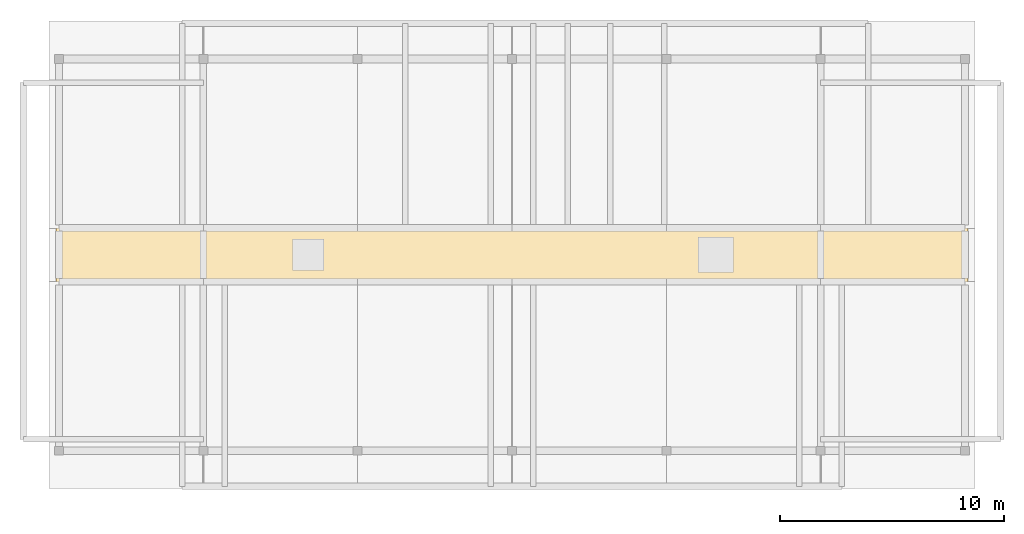
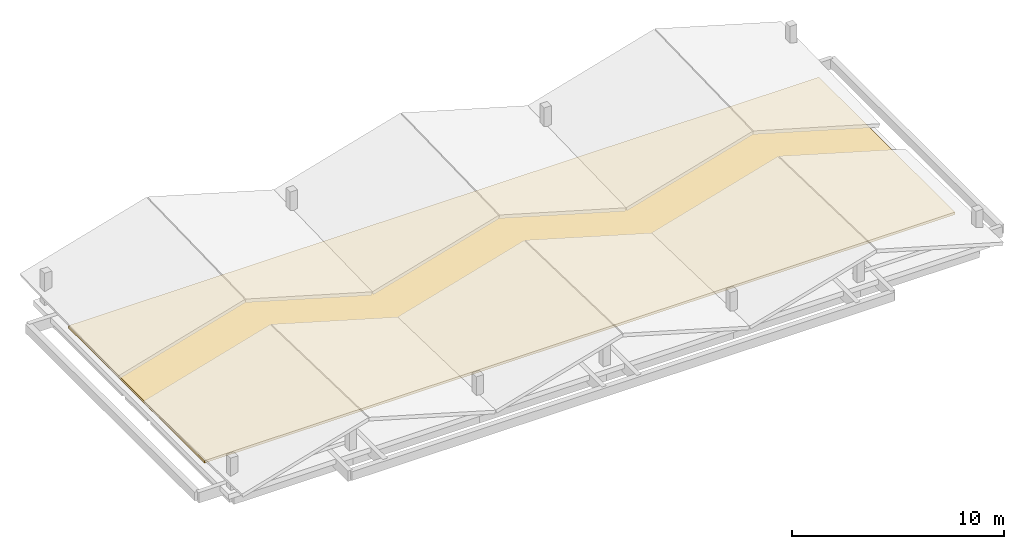
# One storey, part 3 of 3: 1 covering.
"""IFC4 building model written with IfcOpenShell, lengths in metres."""

from ifc_helpers import new_model, si_unit, direction, frame, origin, place, context, subcontext, project, spatial, polyline, outline, extrude, material, layer, layer_set, type_object, element, save


model = new_model("IFC4")

# Units and contexts
model_context = context("Model", 3, precision=1e-05, world=origin(), true_north=direction((0.0, 1.0)))
body_context = subcontext(model_context, "Body", "Model", "MODEL_VIEW")
ifc_project = project(units=[si_unit("LENGTHUNIT", "METRE"), si_unit("AREAUNIT", "SQUARE_METRE"), si_unit("VOLUMEUNIT", "CUBIC_METRE"), si_unit("PLANEANGLEUNIT", "RADIAN"), si_unit("MASSUNIT", "GRAM", prefix="KILO")], contexts=[model_context])

# Site, building, storey
site_placement = place(None, origin())
site = spatial("IfcSite", under=ifc_project, at=site_placement, CompositionType="ELEMENT")
building_placement = place(site_placement, origin())
building = spatial("IfcBuilding", under=site, at=building_placement, Name="Zavelmont Quarter", CompositionType="ELEMENT")
storey_placement = place(building_placement, frame((0.0, 0.0, 49.60009765625)))
storey = spatial("IfcBuildingStorey", under=building, at=storey_placement, Name="ROOF", CompositionType="ELEMENT", Elevation=49.60009765625)

# Covering
ifc_material = material(Name="EPDM waterproofing membrane and mineral insulation")
ifc_layer = layer(ifc_material, 0.139892578125)
ifc_layer_set = layer_set([ifc_layer], Name="EPDM waterproofing membrane and mineral insulation")
covering_type = type_object("IfcCoveringType", Name="CV-RF01", PredefinedType="ROOFING", material=ifc_layer_set)
covering_placement = place(storey_placement, origin())
element("IfcCovering", 1, at=covering_placement, inside=storey, type_object=covering_type, Name="ROOF roof build-up CV-RF01", PredefinedType="ROOFING", context=body_context, shape_type="SweptSolid", body=[
    extrude(outline(polyline([(0.300048828125, 2.800048828125), (41.10009765625, 2.800048828125), (41.10009765625, 15.60009765625), (0.300048828125, 15.60009765625), (0.300048828125, 2.800048828125)])), origin(), (0.0, 0.0, 1.0), 0.139892578125),
])

save(model, "model.ifc")
